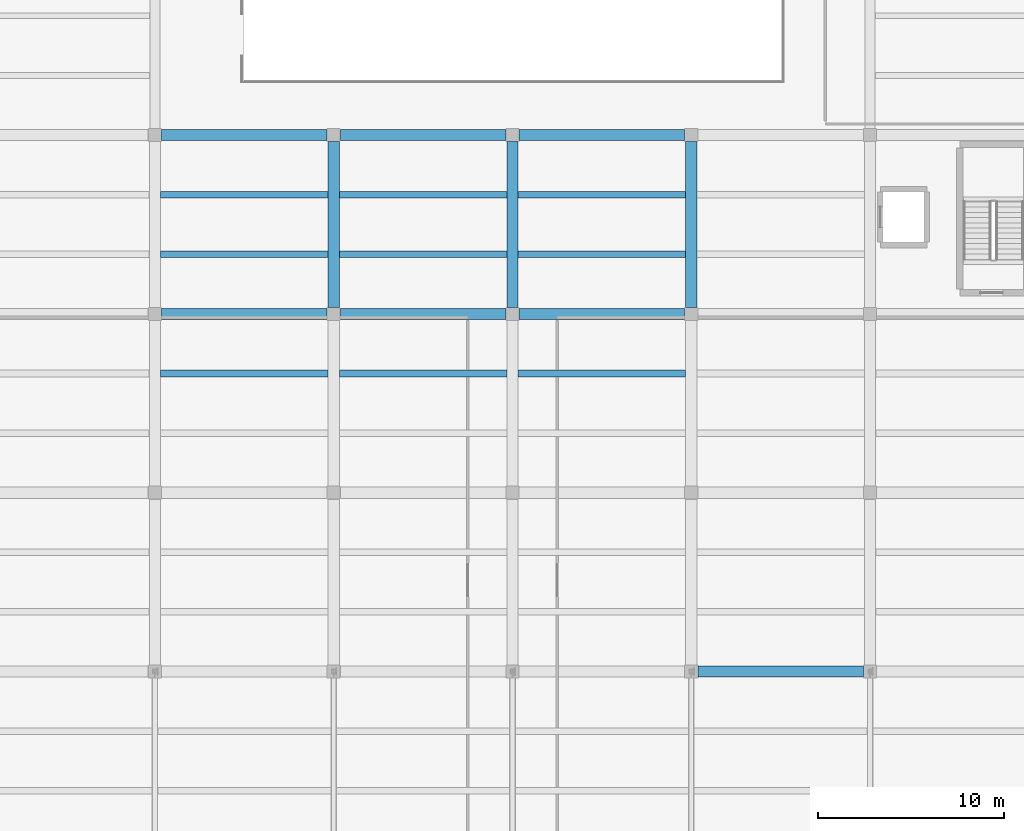
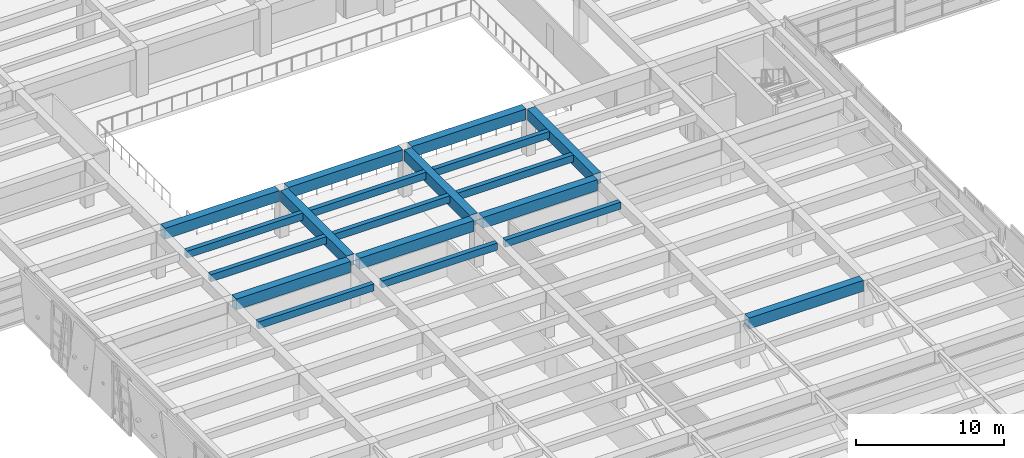
# One storey, part 17 of 62: 19 beams.
"""IFC4 building model written with IfcOpenShell, lengths in metres."""

from ifc_helpers import new_model, si_unit, direction, frame, origin, origin_2d, place, context, subcontext, project, spatial, rectangle, extrude, material, material_profile, profile_set, type_object, element, save


model = new_model("IFC4")

# Units and contexts
model_context = context("Model", 3, precision=1e-05, world=origin(), true_north=direction((0.0, 1.0)))
body_context = subcontext(model_context, "Body", "Model", "MODEL_VIEW")
ifc_project = project(units=[si_unit("LENGTHUNIT", "METRE"), si_unit("AREAUNIT", "SQUARE_METRE"), si_unit("VOLUMEUNIT", "CUBIC_METRE"), si_unit("PLANEANGLEUNIT", "RADIAN"), si_unit("MASSUNIT", "GRAM", prefix="KILO")], contexts=[model_context])

# Site, building, storey
site_placement = place(None, origin())
site = spatial("IfcSite", under=ifc_project, at=site_placement, CompositionType="ELEMENT")
building_placement = place(site_placement, origin())
building = spatial("IfcBuilding", under=site, at=building_placement, Name="Bempovik Park Faculty of Sciences", CompositionType="ELEMENT")
storey_placement = place(building_placement, frame((0.0, 0.0, 9.89990234375)))
storey = spatial("IfcBuildingStorey", under=building, at=storey_placement, Name="L02", CompositionType="ELEMENT", Elevation=9.89990234375)

# Beams
ifc_material_1 = material(Name="Concrete C35/45", Category="concrete")
ifc_material_profile_1 = material_profile(ifc_material_1, rectangle(XDim=0.35009765625, YDim=0.580078125, at=origin_2d()), Name="RC 350x580")
ifc_profile_set_1 = profile_set([ifc_material_profile_1], Name="Concrete C35/45")
beam_type_1 = type_object("IfcBeamType", Name="B-107 RC 350x580", PredefinedType="JOIST", material=ifc_profile_set_1)
for number, where, z_axis, x_axis, name in (
    (1, (69.906005859375, 55.0, 3.610107421875), (1.0, 0.0, 0.0), (0.0, 1.0, 0.0), "L02 Secondary Joist (69.6-79.2, y=55.00)"),
    (2, (69.906005859375, 61.39990234375, 3.610107421875), (1.0, 0.0, 0.0), (0.0, 1.0, 0.0), "L02 Secondary Joist (69.6-79.2, y=61.40)"),
    (3, (69.906005859375, 64.60009765625, 3.610107421875), (1.0, 0.0, 0.0), (0.0, 1.0, 0.0), "L02 Secondary Joist (69.6-79.2, y=64.60)"),
):
    element("IfcBeam", number, at=place(storey_placement, frame(where, z_axis=z_axis, x_axis=x_axis)), inside=storey, type_object=beam_type_1, Name=name, PredefinedType="JOIST", context=body_context, shape_type="SweptSolid", body=[
        extrude(rectangle(XDim=0.35009765625, YDim=0.580078125, at=origin_2d()), origin(), (0.0, 0.0, 1.0), 8.988037109375),
    ])
for number, where, z_axis, x_axis, name in (
    (4, (79.506103515625, 55.0, 3.610107421875), (1.0, 0.0, 0.0), (0.0, 1.0, 0.0), "L02 Secondary Joist (79.2-88.8, y=55.00)"),
    (5, (79.506103515625, 61.39990234375, 3.610107421875), (1.0, 0.0, 0.0), (0.0, 1.0, 0.0), "L02 Secondary Joist (79.2-88.8, y=61.40)"),
    (6, (79.506103515625, 64.60009765625, 3.610107421875), (1.0, 0.0, 0.0), (0.0, 1.0, 0.0), "L02 Secondary Joist (79.2-88.8, y=64.60)"),
):
    element("IfcBeam", number, at=place(storey_placement, frame(where, z_axis=z_axis, x_axis=x_axis)), inside=storey, type_object=beam_type_1, Name=name, PredefinedType="JOIST", context=body_context, shape_type="SweptSolid", body=[
        extrude(rectangle(XDim=0.35009765625, YDim=0.580078125, at=origin_2d()), origin(), (0.0, 0.0, 1.0), 8.98779296875),
    ])
for number, where, z_axis, x_axis, name in (
    (7, (89.10595703125, 55.0, 3.610107421875), (1.0, 0.0, 0.0), (0.0, 1.0, 0.0), "L02 Secondary Joist (88.8-98.4, y=55.00)"),
    (8, (89.10595703125, 61.39990234375, 3.610107421875), (1.0, 0.0, 0.0), (0.0, 1.0, 0.0), "L02 Secondary Joist (88.8-98.4, y=61.40)"),
    (9, (89.10595703125, 64.60009765625, 3.610107421875), (1.0, 0.0, 0.0), (0.0, 1.0, 0.0), "L02 Secondary Joist (88.8-98.4, y=64.60)"),
):
    element("IfcBeam", number, at=place(storey_placement, frame(where, z_axis=z_axis, x_axis=x_axis)), inside=storey, type_object=beam_type_1, Name=name, PredefinedType="JOIST", context=body_context, shape_type="SweptSolid", body=[
        extrude(rectangle(XDim=0.35009765625, YDim=0.580078125, at=origin_2d()), origin(), (0.0, 0.0, 1.0), 8.988037109375),
    ])
ifc_material_2 = material(Name="Concrete C40/50", Category="concrete")
ifc_material_profile_2 = material_profile(ifc_material_2, rectangle(XDim=0.60009765625, YDim=0.89990234375, at=origin_2d()), Name="RC 600x900")
ifc_profile_set_2 = profile_set([ifc_material_profile_2], Name="Concrete C40/50")
beam_type_2 = type_object("IfcBeamType", Name="B-115 RC 600x900", PredefinedType="BEAM", material=ifc_profile_set_2)
for number, where, z_axis, x_axis, name in (
    (10, (98.756103515625, 39.0, 3.4501953125), (1.0, 0.0, 0.0), (0.0, 1.0, 0.0), "L02 Beam X (98.4-108.0, y=39.0)"),
    (11, (69.9560546875, 58.199951171875, 3.4501953125), (1.0, 0.0, 0.0), (0.0, 1.0, 0.0), "L02 Beam X (69.6-79.2, y=58.2)"),
):
    element("IfcBeam", number, at=place(storey_placement, frame(where, z_axis=z_axis, x_axis=x_axis)), inside=storey, type_object=beam_type_2, Name=name, PredefinedType="BEAM", context=body_context, shape_type="SweptSolid", body=[
        extrude(rectangle(XDim=0.60009765625, YDim=0.89990234375, at=origin_2d()), origin(), (0.0, 0.0, 1.0), 8.887939453125),
    ])
beam_1_placement = place(storey_placement, frame((79.555908203125, 58.199951171875, 3.4501953125), z_axis=(1.0, 0.0, 0.0), x_axis=(0.0, 1.0, 0.0)))
element("IfcBeam", 12, at=beam_1_placement, inside=storey, type_object=beam_type_2, Name="L02 Beam X (79.2-88.8, y=58.2)", PredefinedType="BEAM", context=body_context, shape_type="SweptSolid", body=[
    extrude(rectangle(XDim=0.60009765625, YDim=0.89990234375, at=origin_2d()), origin(), (0.0, 0.0, 1.0), 8.88818359375),
])
for number, where, z_axis, x_axis, name in (
    (13, (89.156005859375, 58.199951171875, 3.4501953125), (1.0, 0.0, 0.0), (0.0, 1.0, 0.0), "L02 Beam X (88.8-98.4, y=58.2)"),
    (14, (69.9560546875, 67.800048828125, 3.4501953125), (1.0, 0.0, 0.0), (0.0, 1.0, 0.0), "L02 Beam X (69.6-79.2, y=67.8)"),
):
    element("IfcBeam", number, at=place(storey_placement, frame(where, z_axis=z_axis, x_axis=x_axis)), inside=storey, type_object=beam_type_2, Name=name, PredefinedType="BEAM", context=body_context, shape_type="SweptSolid", body=[
        extrude(rectangle(XDim=0.60009765625, YDim=0.89990234375, at=origin_2d()), origin(), (0.0, 0.0, 1.0), 8.887939453125),
    ])
beam_2_placement = place(storey_placement, frame((79.555908203125, 67.800048828125, 3.4501953125), z_axis=(1.0, 0.0, 0.0), x_axis=(0.0, 1.0, 0.0)))
element("IfcBeam", 15, at=beam_2_placement, inside=storey, type_object=beam_type_2, Name="L02 Beam X (79.2-88.8, y=67.8)", PredefinedType="BEAM", context=body_context, shape_type="SweptSolid", body=[
    extrude(rectangle(XDim=0.60009765625, YDim=0.89990234375, at=origin_2d()), origin(), (0.0, 0.0, 1.0), 8.88818359375),
])
beam_3_placement = place(storey_placement, frame((89.156005859375, 67.800048828125, 3.4501953125), z_axis=(1.0, 0.0, 0.0), x_axis=(0.0, 1.0, 0.0)))
element("IfcBeam", 16, at=beam_3_placement, inside=storey, type_object=beam_type_2, Name="L02 Beam X (88.8-98.4, y=67.8)", PredefinedType="BEAM", context=body_context, shape_type="SweptSolid", body=[
    extrude(rectangle(XDim=0.60009765625, YDim=0.89990234375, at=origin_2d()), origin(), (0.0, 0.0, 1.0), 8.887939453125),
])
for number, where, z_axis, x_axis, name in (
    (17, (79.199951171875, 58.555908203125, 3.4501953125), (0.0, 1.0, 0.0), (-1.0, 0.0, 0.0), "L02 Beam Y (x=79.2, 58.2-67.8)"),
    (18, (88.800048828125, 58.555908203125, 3.4501953125), (0.0, 1.0, 0.0), (-1.0, 0.0, 0.0), "L02 Beam Y (x=88.8, 58.2-67.8)"),
    (19, (98.39990234375, 58.555908203125, 3.4501953125), (0.0, 1.0, 0.0), (-1.0, 0.0, 0.0), "L02 Beam Y (x=98.4, 58.2-67.8)"),
):
    element("IfcBeam", number, at=place(storey_placement, frame(where, z_axis=z_axis, x_axis=x_axis)), inside=storey, type_object=beam_type_2, Name=name, PredefinedType="BEAM", context=body_context, shape_type="SweptSolid", body=[
        extrude(rectangle(XDim=0.60009765625, YDim=0.89990234375, at=origin_2d()), origin(), (0.0, 0.0, 1.0), 8.88818359375),
    ])

save(model, "model.ifc")
